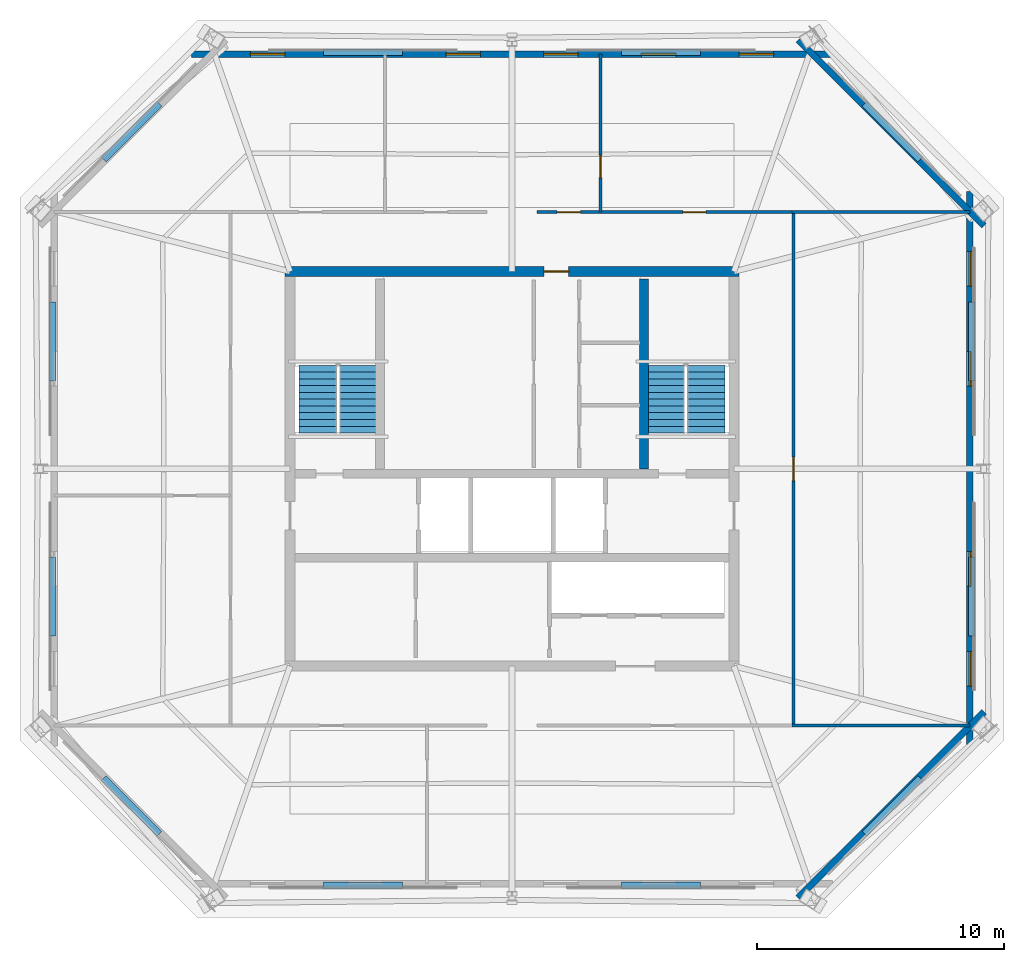
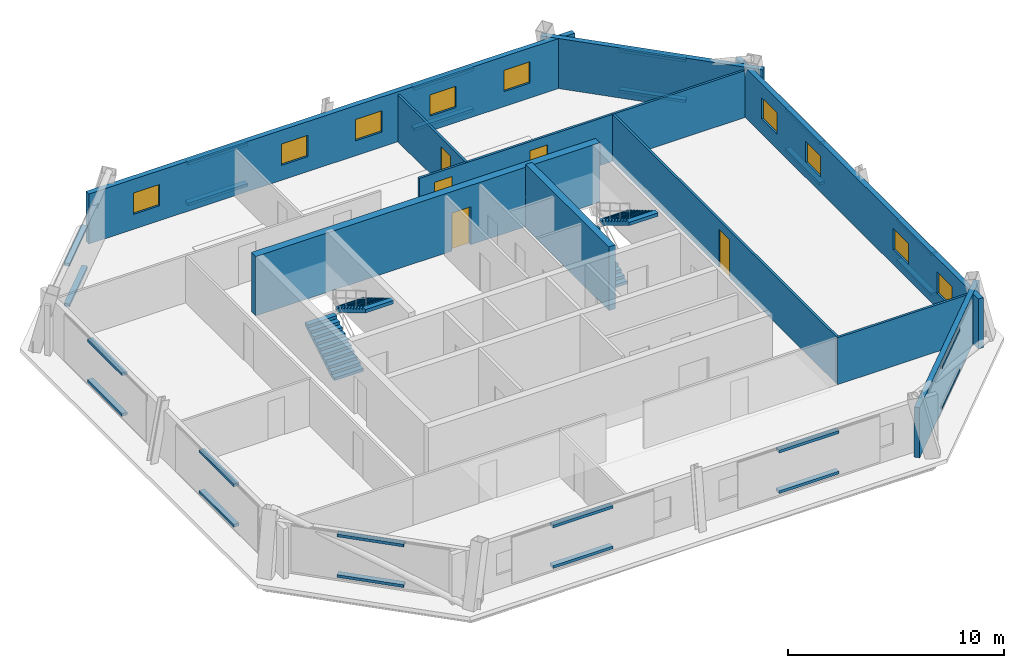
# One storey, part 4 of 6: 24 discrete accessories, 11 walls, 9 windows, 5 doors, 4 stair flights, 14 openings, 2 elements without a shape of their own.
"""IFC4 building model written with IfcOpenShell, lengths in metres."""

from ifc_helpers import new_model, si_unit, direction, frame, frame_2d, origin, origin_2d, place, context, subcontext, project, spatial, polyline, rectangle, outline, extrude, material, layer, layer_set, type_object, element, fill, aggregate, save


model = new_model("IFC4")

# Units and contexts
model_context = context("Model", 3, precision=1e-05, world=origin(), true_north=direction((0.0, 1.0)))
body_context = subcontext(model_context, "Body", "Model", "MODEL_VIEW")
ifc_project = project(units=[si_unit("LENGTHUNIT", "METRE"), si_unit("AREAUNIT", "SQUARE_METRE"), si_unit("VOLUMEUNIT", "CUBIC_METRE"), si_unit("PLANEANGLEUNIT", "RADIAN"), si_unit("MASSUNIT", "GRAM", prefix="KILO")], contexts=[model_context])

# Site, building, storey
site_placement = place(None, origin())
site = spatial("IfcSite", under=ifc_project, at=site_placement, CompositionType="ELEMENT")
building_placement = place(site_placement, origin())
building = spatial("IfcBuilding", under=site, at=building_placement, Name="Caelvoria Tower", CompositionType="ELEMENT")
storey_placement = place(building_placement, frame((0.0, 0.0, 246.60009765625)))
storey = spatial("IfcBuildingStorey", under=building, at=storey_placement, Name="L65", CompositionType="ELEMENT", Elevation=246.60009765625)

# Wall
ifc_material_1 = material(Name="Concrete C50/60", Category="concrete")
ifc_layer_1 = layer(ifc_material_1, 0.35009765625, Name="Concrete C50/60")
ifc_layer_set_1 = layer_set([ifc_layer_1], Name="Core Internal Shear Wall 350 - Concrete C50/60")
wall_type_1 = type_object("IfcWallType", Name="Core Internal Shear Wall 350", PredefinedType="SHEAR", material=ifc_layer_set_1)
wall_1_placement = place(storey_placement, frame((51.35009765625, 32.0, 0.0), z_axis=(0.0, 0.0, 1.0), x_axis=(0.0, 1.0, 0.0)))
element("IfcWall", 1, at=wall_1_placement, inside=storey, type_object=wall_type_1, Name="Interior Partition IW-L65-ST2W", PredefinedType="SHEAR", context=body_context, shape_type="SweptSolid", body=[
    extrude(rectangle(XDim=7.699951171875, YDim=0.35009765625, at=frame_2d((3.85009765625, 0.0))), origin(), (0.0, 0.0, 1.0), 3.599853515625),
])

# Wall, opening, door
ifc_layer_2 = layer(ifc_material_1, 0.39990234375, Name="Concrete C50/60")
ifc_layer_set_2 = layer_set([ifc_layer_2], Name="Summit Core Shear Wall 400 - Concrete C50/60")
wall_type_2 = type_object("IfcWallType", Name="Summit Core Shear Wall 400", PredefinedType="SHEAR", material=ifc_layer_set_2)
wall_2_placement = place(storey_placement, frame((36.800048828125, 40.0, 0.0), z_axis=(0.0, 0.0, 1.0), x_axis=(1.0, 0.0, 0.0)))
wall_2 = element("IfcWall", 2, at=wall_2_placement, inside=storey, type_object=wall_type_2, Name="Core Shear Wall L65 N", PredefinedType="SHEAR", context=body_context, shape_type="SweptSolid", body=[
    extrude(rectangle(XDim=18.39990234375, YDim=0.39990234375, at=frame_2d((9.199951171875, 0.0))), origin(), (0.0, 0.0, 1.0), 3.35986328125),
])
opening_1_placement = place(wall_2_placement, frame((10.5, 0.0, 0.0)))
opening_1 = element("IfcOpeningElement", 3, at=opening_1_placement, cuts=wall_2, Name="Opening ID-03", PredefinedType="OPENING", context=body_context, shape_type="SweptSolid", body=[
    extrude(rectangle(XDim=1.0, YDim=2.14990234375, at=frame_2d((0.5, 1.074951171875))), frame((0.0, 0.2099609375, 0.0), z_axis=(0.0, -1.0, 0.0), x_axis=(1.0, 0.0, 0.0)), (0.0, 0.0, 1.0), 0.419921875),
])
ifc_material_2 = material(Name="Painted Hollow Steel Fire Door", Category="steel")
door_type_1 = type_object("IfcDoorType", Name="Fire Door FD60S 1000x2150", OperationType="NOTDEFINED", PredefinedType="DOOR", material=ifc_material_2)
door_1_placement = place(opening_1_placement, origin())
door_1 = element("IfcDoor", 4, at=door_1_placement, inside=storey, type_object=door_type_1, Name="Core Door DR-L65-WC-MAIN", OperationType="SINGLE_SWING_RIGHT", OverallHeight=2.14990234375, OverallWidth=1.0, PredefinedType="DOOR", context=body_context, shape_type="SweptSolid", body=[
    extrude(rectangle(XDim=1.0, YDim=2.14990234375, at=frame_2d((0.5, 1.074951171875))), frame((0.0, 0.02490234375, 0.0), z_axis=(0.0, -1.0, 0.0), x_axis=(1.0, 0.0, 0.0)), (0.0, 0.0, 1.0), 0.050048828125),
])
fill(opening_1, door_1)

ifc_material_3 = material(Name="Acoustic Gypsum Board on Light-Gauge Stud", Category="gypsum")
ifc_layer_3 = layer(ifc_material_3, 0.1201171875, Name="Acoustic Gypsum Board on Light-Gauge Stud")
ifc_layer_set_3 = layer_set([ifc_layer_3], Name="Tenant Suite Acoustic Partition Wall 120 - Acoustic Gypsum Board on Light-Gauge Stud")
wall_type_3 = type_object("IfcWallType", Name="Tenant Suite Acoustic Partition Wall 120", PredefinedType="PARTITIONING", material=ifc_layer_set_3)
wall_3_placement = place(storey_placement, frame((49.589599609375, 42.409912109375, 0.0), z_axis=(0.0, 0.0, 1.0), x_axis=(0.0, 1.0, 0.0)))
wall_3 = element("IfcWall", 5, at=wall_3_placement, inside=storey, type_object=wall_type_3, Name="Interior Partition IW-L65-ND-01-0", PredefinedType="PARTITIONING", context=body_context, shape_type="SweptSolid", body=[
    extrude(rectangle(XDim=6.41015625, YDim=0.1201171875, at=frame_2d((3.205078125, 0.0))), origin(), (0.0, 0.0, 1.0), 2.65478515625),
])
opening_2_placement = place(wall_3_placement, frame((1.39990234375, 0.0, 0.0)))
opening_2 = element("IfcOpeningElement", 6, at=opening_2_placement, cuts=wall_3, Name="Opening ID-06", PredefinedType="OPENING", context=body_context, shape_type="SweptSolid", body=[
    extrude(rectangle(XDim=0.89990234375, YDim=2.14990234375, at=frame_2d((0.449951171875, 1.074951171875))), frame((0.0, 0.070068359375, 0.0), z_axis=(0.0, -1.0, 0.0), x_axis=(1.0, 0.0, 0.0)), (0.0, 0.0, 1.0), 0.14013671875),
])
ifc_material_4 = material(Name="Engineered Andean Oak Veneer Door", Category="wood")
door_type_2 = type_object("IfcDoorType", Name="Interior Timber Door 900x2150", OperationType="NOTDEFINED", PredefinedType="DOOR", material=ifc_material_4)
door_2_placement = place(opening_2_placement, origin())
door_2 = element("IfcDoor", 7, at=door_2_placement, inside=storey, type_object=door_type_2, Name="Interior Door DR-L65-NM-01-0", OperationType="SINGLE_SWING_LEFT", OverallHeight=2.14990234375, OverallWidth=0.89990234375, PredefinedType="DOOR", context=body_context, shape_type="SweptSolid", body=[
    extrude(rectangle(XDim=0.89990234375, YDim=2.14990234375, at=frame_2d((0.449951171875, 1.074951171875))), frame((0.0, 0.02490234375, 0.0), z_axis=(0.0, -1.0, 0.0), x_axis=(1.0, 0.0, 0.0)), (0.0, 0.0, 1.0), 0.050048828125),
])
fill(opening_2, door_2)

# Wall, openings, doors
wall_4_placement = place(storey_placement, frame((47.02001953125, 42.409912109375, 0.0), z_axis=(0.0, 0.0, 1.0), x_axis=(1.0, 0.0, 0.0)))
wall_4 = element("IfcWall", 8, at=wall_4_placement, inside=storey, type_object=wall_type_3, Name="Interior Partition IW-L65-NCW-1", PredefinedType="PARTITIONING", context=body_context, shape_type="SweptSolid", body=[
    extrude(rectangle(XDim=10.330078125, YDim=0.1201171875, at=frame_2d((5.1650390625, 0.0))), origin(), (0.0, 0.0, 1.0), 2.65478515625),
])
opening_3_placement = place(wall_4_placement, frame((0.809814453125, 0.0, 0.0)))
opening_3 = element("IfcOpeningElement", 9, at=opening_3_placement, cuts=wall_4, Name="Opening ID-05", PredefinedType="OPENING", context=body_context, shape_type="SweptSolid", body=[
    extrude(rectangle(XDim=0.949951171875, YDim=2.14990234375, at=frame_2d((0.47509765625, 1.074951171875))), frame((0.0, 0.070068359375, 0.0), z_axis=(0.0, -1.0, 0.0), x_axis=(1.0, 0.0, 0.0)), (0.0, 0.0, 1.0), 0.14013671875),
])
opening_4_placement = place(wall_4_placement, frame((5.90478515625, 0.0, 0.0)))
opening_4 = element("IfcOpeningElement", 10, at=opening_4_placement, cuts=wall_4, Name="Opening ID-05", PredefinedType="OPENING", context=body_context, shape_type="SweptSolid", body=[
    extrude(rectangle(XDim=0.949951171875, YDim=2.14990234375, at=frame_2d((0.47509765625, 1.074951171875))), frame((0.0, 0.070068359375, 0.0), z_axis=(0.0, -1.0, 0.0), x_axis=(1.0, 0.0, 0.0)), (0.0, 0.0, 1.0), 0.14013671875),
])
door_type_3 = type_object("IfcDoorType", Name="Interior Timber Door 950x2150", OperationType="NOTDEFINED", PredefinedType="DOOR", material=ifc_material_4)
door_3_placement = place(opening_3_placement, origin())
door_3 = element("IfcDoor", 11, at=door_3_placement, inside=storey, type_object=door_type_3, Name="Interior Door DR-L65-NC-01-1", OperationType="SINGLE_SWING_RIGHT", OverallHeight=2.14990234375, OverallWidth=0.949951171875, PredefinedType="DOOR", context=body_context, shape_type="SweptSolid", body=[
    extrude(rectangle(XDim=0.949951171875, YDim=2.14990234375, at=frame_2d((0.47509765625, 1.074951171875))), frame((0.0, 0.02490234375, 0.0), z_axis=(0.0, -1.0, 0.0), x_axis=(1.0, 0.0, 0.0)), (0.0, 0.0, 1.0), 0.050048828125),
])
fill(opening_3, door_3)
door_4_placement = place(opening_4_placement, origin())
door_4 = element("IfcDoor", 12, at=door_4_placement, inside=storey, type_object=door_type_3, Name="Interior Door DR-L65-NC-02-0", OperationType="SINGLE_SWING_RIGHT", OverallHeight=2.14990234375, OverallWidth=0.949951171875, PredefinedType="DOOR", context=body_context, shape_type="SweptSolid", body=[
    extrude(rectangle(XDim=0.949951171875, YDim=2.14990234375, at=frame_2d((0.47509765625, 1.074951171875))), frame((0.0, 0.02490234375, 0.0), z_axis=(0.0, -1.0, 0.0), x_axis=(1.0, 0.0, 0.0)), (0.0, 0.0, 1.0), 0.050048828125),
])
fill(opening_4, door_4)

# Wall, opening, door
wall_5_placement = place(storey_placement, frame((57.409912109375, 21.64990234375, 0.0), z_axis=(0.0, 0.0, 1.0), x_axis=(0.0, 1.0, 0.0)))
wall_5 = element("IfcWall", 13, at=wall_5_placement, inside=storey, type_object=wall_type_3, Name="Interior Partition IW-L65-ECW-0", PredefinedType="PARTITIONING", context=body_context, shape_type="SweptSolid", body=[
    extrude(rectangle(XDim=20.7001953125, YDim=0.1201171875, at=frame_2d((10.35009765625, 0.0))), origin(), (0.0, 0.0, 1.0), 2.65478515625),
])
opening_5_placement = place(wall_5_placement, frame((9.875, 0.0, 0.0)))
opening_5 = element("IfcOpeningElement", 14, at=opening_5_placement, cuts=wall_5, Name="Opening ID-05", PredefinedType="OPENING", context=body_context, shape_type="SweptSolid", body=[
    extrude(rectangle(XDim=0.949951171875, YDim=2.14990234375, at=frame_2d((0.47509765625, 1.074951171875))), frame((0.0, 0.070068359375, 0.0), z_axis=(0.0, -1.0, 0.0), x_axis=(1.0, 0.0, 0.0)), (0.0, 0.0, 1.0), 0.14013671875),
])
door_5_placement = place(opening_5_placement, origin())
door_5 = element("IfcDoor", 15, at=door_5_placement, inside=storey, type_object=door_type_3, Name="Interior Door DR-L65-EC-00-0", OperationType="SINGLE_SWING_RIGHT", OverallHeight=2.14990234375, OverallWidth=0.949951171875, PredefinedType="DOOR", context=body_context, shape_type="SweptSolid", body=[
    extrude(rectangle(XDim=0.949951171875, YDim=2.14990234375, at=frame_2d((0.47509765625, 1.074951171875))), frame((0.0, 0.02490234375, 0.0), z_axis=(0.0, -1.0, 0.0), x_axis=(1.0, 0.0, 0.0)), (0.0, 0.0, 1.0), 0.050048828125),
])
fill(opening_5, door_5)

# Walls
for number, where, z_axis, x_axis, name in (
    (16, (57.35009765625, 21.590087890625, 0.0), (0.0, 0.0, 1.0), (1.0, 0.0, 0.0), "Interior Partition IW-L65-BSE-0"),
    (17, (57.35009765625, 42.409912109375, 0.0), (0.0, 0.0, 1.0), (1.0, 0.0, 0.0), "Interior Partition IW-L65-BNE-0"),
):
    element("IfcWall", number, at=place(storey_placement, frame(where, z_axis=z_axis, x_axis=x_axis)), inside=storey, type_object=wall_type_3, Name=name, PredefinedType="PARTITIONING", context=body_context, shape_type="SweptSolid", body=[
        extrude(rectangle(XDim=7.219970703125, YDim=0.1201171875, at=frame_2d((3.60986328125, 0.0))), origin(), (0.0, 0.0, 1.0), 2.65478515625),
    ])
ifc_material_5 = material(Name="Precast Concrete C40/50 with Bronze Cladding", Category="concrete")
ifc_layer_4 = layer(ifc_material_5, 0.264892578125, Name="Precast Concrete C40/50 with Bronze Cladding")
ifc_layer_set_4 = layer_set([ifc_layer_4], Name="Upper Taper Precast Concrete C40/50 Bronze Facade Wall 265 - Precast Concrete C40/50 with Bronze Cladding")
wall_type_4 = type_object("IfcWallType", Name="Upper Taper Precast Concrete C40/50 Bronze Facade Wall 265", PredefinedType="STANDARD", material=ifc_layer_set_4)
wall_6_placement = place(storey_placement, frame((57.6044921875, 14.606201171875, 0.0), z_axis=(0.0, 0.0, 1.0), x_axis=(0.707106781187, 0.707106781187, 0.0)))
element("IfcWall", 18, at=wall_6_placement, inside=storey, type_object=wall_type_4, Name="Exterior Facade Wall L65-E1", PredefinedType="STANDARD", context=body_context, shape_type="SweptSolid", body=[
    extrude(rectangle(XDim=10.662109375, YDim=0.264892578125, at=frame_2d((5.3310546875, 0.0))), origin(), (0.0, 0.0, 1.0), 2.831787109375),
])

# Wall, openings, windows
wall_7_placement = place(storey_placement, frame((64.570068359375, 20.760009765625, 0.0), z_axis=(0.0, 0.0, 1.0), x_axis=(0.0, 1.0, 0.0)))
wall_7 = element("IfcWall", 19, at=wall_7_placement, inside=storey, type_object=wall_type_4, Name="Exterior Facade Wall L65-E2", PredefinedType="STANDARD", context=body_context, shape_type="SweptSolid", body=[
    extrude(rectangle(XDim=22.47998046875, YDim=0.264892578125, at=frame_2d((11.239990234375, 0.0))), origin(), (0.0, 0.0, 1.0), 2.831787109375),
])
opening_6_placement = place(wall_7_placement, frame((2.427978515625, 0.0, 0.85009765625)))
opening_6 = element("IfcOpeningElement", 20, at=opening_6_placement, cuts=wall_7, Name="Opening WN-06", PredefinedType="OPENING", context=body_context, shape_type="SweptSolid", body=[
    extrude(rectangle(XDim=1.39990234375, YDim=1.199951171875, at=frame_2d((0.699951171875, 0.60009765625))), frame((0.0, 0.142333984375, 0.0), z_axis=(0.0, -1.0, 0.0), x_axis=(1.0, 0.0, 0.0)), (0.0, 0.0, 1.0), 0.284912109375),
])
opening_7_placement = place(wall_7_placement, frame((6.48388671875, 0.0, 0.85009765625)))
opening_7 = element("IfcOpeningElement", 21, at=opening_7_placement, cuts=wall_7, Name="Opening WN-06", PredefinedType="OPENING", context=body_context, shape_type="SweptSolid", body=[
    extrude(rectangle(XDim=1.39990234375, YDim=1.199951171875, at=frame_2d((0.699951171875, 0.60009765625))), frame((0.0, 0.142333984375, 0.0), z_axis=(0.0, -1.0, 0.0), x_axis=(1.0, 0.0, 0.0)), (0.0, 0.0, 1.0), 0.284912109375),
])
opening_8_placement = place(wall_7_placement, frame((14.595947265625, 0.0, 0.85009765625)))
opening_8 = element("IfcOpeningElement", 22, at=opening_8_placement, cuts=wall_7, Name="Opening WN-06", PredefinedType="OPENING", context=body_context, shape_type="SweptSolid", body=[
    extrude(rectangle(XDim=1.39990234375, YDim=1.199951171875, at=frame_2d((0.699951171875, 0.60009765625))), frame((0.0, 0.142333984375, 0.0), z_axis=(0.0, -1.0, 0.0), x_axis=(1.0, 0.0, 0.0)), (0.0, 0.0, 1.0), 0.284912109375),
])
opening_9_placement = place(wall_7_placement, frame((18.652099609375, 0.0, 0.85009765625)))
opening_9 = element("IfcOpeningElement", 23, at=opening_9_placement, cuts=wall_7, Name="Opening WN-06", PredefinedType="OPENING", context=body_context, shape_type="SweptSolid", body=[
    extrude(rectangle(XDim=1.39990234375, YDim=1.199951171875, at=frame_2d((0.699951171875, 0.60009765625))), frame((0.0, 0.142333984375, 0.0), z_axis=(0.0, -1.0, 0.0), x_axis=(1.0, 0.0, 0.0)), (0.0, 0.0, 1.0), 0.284912109375),
])
ifc_material_6 = material(Name="Low-E Tinted Glass in Bronze Aluminium Frame", Category="aluminium")
window_type = type_object("IfcWindowType", Name="Podium Clerestory Window 1400x1200", PartitioningType="SINGLE_PANEL", PredefinedType="WINDOW", material=ifc_material_6)
window_1_placement = place(opening_6_placement, origin())
window_1 = element("IfcWindow", 24, at=window_1_placement, inside=storey, type_object=window_type, Name="Facade Window L65-E2-00", OverallHeight=1.199951171875, OverallWidth=1.39990234375, PartitioningType="SINGLE_PANEL", PredefinedType="WINDOW", context=body_context, shape_type="SweptSolid", body=[
    extrude(rectangle(XDim=1.39990234375, YDim=1.199951171875, at=frame_2d((0.699951171875, 0.60009765625))), frame((0.0, 0.030029296875, 0.0), z_axis=(0.0, -1.0, 0.0), x_axis=(1.0, 0.0, 0.0)), (0.0, 0.0, 1.0), 0.06005859375),
])
fill(opening_6, window_1)
window_2_placement = place(opening_7_placement, origin())
window_2 = element("IfcWindow", 25, at=window_2_placement, inside=storey, type_object=window_type, Name="Facade Window L65-E2-01", OverallHeight=1.199951171875, OverallWidth=1.39990234375, PartitioningType="SINGLE_PANEL", PredefinedType="WINDOW", context=body_context, shape_type="SweptSolid", body=[
    extrude(rectangle(XDim=1.39990234375, YDim=1.199951171875, at=frame_2d((0.699951171875, 0.60009765625))), frame((0.0, 0.030029296875, 0.0), z_axis=(0.0, -1.0, 0.0), x_axis=(1.0, 0.0, 0.0)), (0.0, 0.0, 1.0), 0.06005859375),
])
fill(opening_7, window_2)
window_3_placement = place(opening_8_placement, origin())
window_3 = element("IfcWindow", 26, at=window_3_placement, inside=storey, type_object=window_type, Name="Facade Window L65-E2-03", OverallHeight=1.199951171875, OverallWidth=1.39990234375, PartitioningType="SINGLE_PANEL", PredefinedType="WINDOW", context=body_context, shape_type="SweptSolid", body=[
    extrude(rectangle(XDim=1.39990234375, YDim=1.199951171875, at=frame_2d((0.699951171875, 0.60009765625))), frame((0.0, 0.030029296875, 0.0), z_axis=(0.0, -1.0, 0.0), x_axis=(1.0, 0.0, 0.0)), (0.0, 0.0, 1.0), 0.06005859375),
])
fill(opening_8, window_3)
window_4_placement = place(opening_9_placement, origin())
window_4 = element("IfcWindow", 27, at=window_4_placement, inside=storey, type_object=window_type, Name="Facade Window L65-E2-04", OverallHeight=1.199951171875, OverallWidth=1.39990234375, PartitioningType="SINGLE_PANEL", PredefinedType="WINDOW", context=body_context, shape_type="SweptSolid", body=[
    extrude(rectangle(XDim=1.39990234375, YDim=1.199951171875, at=frame_2d((0.699951171875, 0.60009765625))), frame((0.0, 0.030029296875, 0.0), z_axis=(0.0, -1.0, 0.0), x_axis=(1.0, 0.0, 0.0)), (0.0, 0.0, 1.0), 0.06005859375),
])
fill(opening_9, window_4)

# Wall
wall_8_placement = place(storey_placement, frame((65.143798828125, 41.8544921875, 0.0), z_axis=(0.0, 0.0, 1.0), x_axis=(-0.707106781187, 0.707106781187, 0.0)))
element("IfcWall", 28, at=wall_8_placement, inside=storey, type_object=wall_type_4, Name="Exterior Facade Wall L65-E3", PredefinedType="STANDARD", context=body_context, shape_type="SweptSolid", body=[
    extrude(rectangle(XDim=10.662109375, YDim=0.264892578125, at=frame_2d((5.3310546875, 0.0))), origin(), (0.0, 0.0, 1.0), 2.831787109375),
])

# Wall, openings, windows
wall_9_placement = place(storey_placement, frame((58.989990234375, 48.820068359375, 0.0), z_axis=(0.0, 0.0, 1.0), x_axis=(-1.0, 0.0, 0.0)))
wall_9 = element("IfcWall", 29, at=wall_9_placement, inside=storey, type_object=wall_type_4, Name="Exterior Facade Wall L65-E4", PredefinedType="STANDARD", context=body_context, shape_type="SweptSolid", body=[
    extrude(rectangle(XDim=25.97998046875, YDim=0.264892578125, at=frame_2d((12.989990234375, 0.0))), origin(), (0.0, 0.0, 1.0), 2.831787109375),
])
opening_10_placement = place(wall_9_placement, frame((2.381591796875, 0.0, 0.85009765625)))
opening_10 = element("IfcOpeningElement", 30, at=opening_10_placement, cuts=wall_9, Name="Opening WN-06", PredefinedType="OPENING", context=body_context, shape_type="SweptSolid", body=[
    extrude(rectangle(XDim=1.39990234375, YDim=1.199951171875, at=frame_2d((0.699951171875, 0.60009765625))), frame((0.0, 0.142333984375, 0.0), z_axis=(0.0, -1.0, 0.0), x_axis=(1.0, 0.0, 0.0)), (0.0, 0.0, 1.0), 0.284912109375),
])
opening_11_placement = place(wall_9_placement, frame((6.344970703125, 0.0, 0.85009765625)))
opening_11 = element("IfcOpeningElement", 31, at=opening_11_placement, cuts=wall_9, Name="Opening WN-06", PredefinedType="OPENING", context=body_context, shape_type="SweptSolid", body=[
    extrude(rectangle(XDim=1.39990234375, YDim=1.199951171875, at=frame_2d((0.699951171875, 0.60009765625))), frame((0.0, 0.142333984375, 0.0), z_axis=(0.0, -1.0, 0.0), x_axis=(1.0, 0.0, 0.0)), (0.0, 0.0, 1.0), 0.284912109375),
])
opening_12_placement = place(wall_9_placement, frame((10.308349609375, 0.0, 0.85009765625)))
opening_12 = element("IfcOpeningElement", 32, at=opening_12_placement, cuts=wall_9, Name="Opening WN-06", PredefinedType="OPENING", context=body_context, shape_type="SweptSolid", body=[
    extrude(rectangle(XDim=1.39990234375, YDim=1.199951171875, at=frame_2d((0.699951171875, 0.60009765625))), frame((0.0, 0.142333984375, 0.0), z_axis=(0.0, -1.0, 0.0), x_axis=(1.0, 0.0, 0.0)), (0.0, 0.0, 1.0), 0.284912109375),
])
opening_13_placement = place(wall_9_placement, frame((14.271728515625, 0.0, 0.85009765625)))
opening_13 = element("IfcOpeningElement", 33, at=opening_13_placement, cuts=wall_9, Name="Opening WN-06", PredefinedType="OPENING", context=body_context, shape_type="SweptSolid", body=[
    extrude(rectangle(XDim=1.39990234375, YDim=1.199951171875, at=frame_2d((0.699951171875, 0.60009765625))), frame((0.0, 0.142333984375, 0.0), z_axis=(0.0, -1.0, 0.0), x_axis=(1.0, 0.0, 0.0)), (0.0, 0.0, 1.0), 0.284912109375),
])
opening_14_placement = place(wall_9_placement, frame((22.1982421875, 0.0, 0.85009765625)))
opening_14 = element("IfcOpeningElement", 34, at=opening_14_placement, cuts=wall_9, Name="Opening WN-06", PredefinedType="OPENING", context=body_context, shape_type="SweptSolid", body=[
    extrude(rectangle(XDim=1.39990234375, YDim=1.199951171875, at=frame_2d((0.699951171875, 0.60009765625))), frame((0.0, 0.142333984375, 0.0), z_axis=(0.0, -1.0, 0.0), x_axis=(1.0, 0.0, 0.0)), (0.0, 0.0, 1.0), 0.284912109375),
])
window_5_placement = place(opening_10_placement, origin())
window_5 = element("IfcWindow", 35, at=window_5_placement, inside=storey, type_object=window_type, Name="Facade Window L65-E4-00", OverallHeight=1.199951171875, OverallWidth=1.39990234375, PartitioningType="SINGLE_PANEL", PredefinedType="WINDOW", context=body_context, shape_type="SweptSolid", body=[
    extrude(rectangle(XDim=1.39990234375, YDim=1.199951171875, at=frame_2d((0.699951171875, 0.60009765625))), frame((0.0, 0.030029296875, 0.0), z_axis=(0.0, -1.0, 0.0), x_axis=(1.0, 0.0, 0.0)), (0.0, 0.0, 1.0), 0.06005859375),
])
fill(opening_10, window_5)
window_6_placement = place(opening_11_placement, origin())
window_6 = element("IfcWindow", 36, at=window_6_placement, inside=storey, type_object=window_type, Name="Facade Window L65-E4-01", OverallHeight=1.199951171875, OverallWidth=1.39990234375, PartitioningType="SINGLE_PANEL", PredefinedType="WINDOW", context=body_context, shape_type="SweptSolid", body=[
    extrude(rectangle(XDim=1.39990234375, YDim=1.199951171875, at=frame_2d((0.699951171875, 0.60009765625))), frame((0.0, 0.030029296875, 0.0), z_axis=(0.0, -1.0, 0.0), x_axis=(1.0, 0.0, 0.0)), (0.0, 0.0, 1.0), 0.06005859375),
])
fill(opening_11, window_6)
window_7_placement = place(opening_12_placement, origin())
window_7 = element("IfcWindow", 37, at=window_7_placement, inside=storey, type_object=window_type, Name="Facade Window L65-E4-02", OverallHeight=1.199951171875, OverallWidth=1.39990234375, PartitioningType="SINGLE_PANEL", PredefinedType="WINDOW", context=body_context, shape_type="SweptSolid", body=[
    extrude(rectangle(XDim=1.39990234375, YDim=1.199951171875, at=frame_2d((0.699951171875, 0.60009765625))), frame((0.0, 0.030029296875, 0.0), z_axis=(0.0, -1.0, 0.0), x_axis=(1.0, 0.0, 0.0)), (0.0, 0.0, 1.0), 0.06005859375),
])
fill(opening_12, window_7)
window_8_placement = place(opening_13_placement, origin())
window_8 = element("IfcWindow", 38, at=window_8_placement, inside=storey, type_object=window_type, Name="Facade Window L65-E4-03", OverallHeight=1.199951171875, OverallWidth=1.39990234375, PartitioningType="SINGLE_PANEL", PredefinedType="WINDOW", context=body_context, shape_type="SweptSolid", body=[
    extrude(rectangle(XDim=1.39990234375, YDim=1.199951171875, at=frame_2d((0.699951171875, 0.60009765625))), frame((0.0, 0.030029296875, 0.0), z_axis=(0.0, -1.0, 0.0), x_axis=(1.0, 0.0, 0.0)), (0.0, 0.0, 1.0), 0.06005859375),
])
fill(opening_13, window_8)
window_9_placement = place(opening_14_placement, origin())
window_9 = element("IfcWindow", 39, at=window_9_placement, inside=storey, type_object=window_type, Name="Facade Window L65-E4-05", OverallHeight=1.199951171875, OverallWidth=1.39990234375, PartitioningType="SINGLE_PANEL", PredefinedType="WINDOW", context=body_context, shape_type="SweptSolid", body=[
    extrude(rectangle(XDim=1.39990234375, YDim=1.199951171875, at=frame_2d((0.699951171875, 0.60009765625))), frame((0.0, 0.030029296875, 0.0), z_axis=(0.0, -1.0, 0.0), x_axis=(1.0, 0.0, 0.0)), (0.0, 0.0, 1.0), 0.06005859375),
])
fill(opening_14, window_9)

# Stair, stair flights
ifc_material_7 = material(Name="Concrete C40/50", Category="concrete")
stair_type = type_object("IfcStairType", Name="Core Smokeproof Dogleg Stair Concrete C40/50", PredefinedType="HALF_TURN_STAIR", material=ifc_material_7)
stair_1_placement = place(storey_placement, origin())
stair_1 = element("IfcStair", 40, at=stair_1_placement, inside=storey, type_object=stair_type, Name="ST-01 Smokeproof Exit Stair L65", PredefinedType="HALF_TURN_STAIR")
ifc_material_8 = material(Name="Precast Concrete C40/50", Category="concrete")
stair_flight_type = type_object("IfcStairFlightType", Name="Precast Concrete C40/50 Stair Flight 1480", PredefinedType="STRAIGHT", material=ifc_material_8)
stair_flight_1_placement = place(storey_placement, frame((38.1298828125, 33.449951171875, 0.0), z_axis=(0.0, 0.0, 1.0), x_axis=(0.0, 1.0, 0.0)))
stair_flight_1 = element("IfcStairFlight", 41, at=stair_flight_1_placement, type_object=stair_flight_type, Name="ST-01 flight 1", NumberOfRisers=11, NumberOfTreads=10, PredefinedType="STRAIGHT", RiserHeight=0.1636, TreadLength=0.275, context=body_context, shape_type="SweptSolid", body=[
    extrude(outline(polyline([(0.0, 0.0), (0.0, 0.16357421875), (0.27490234375, 0.16357421875), (0.27490234375, 0.3271484375), (0.550048828125, 0.3271484375), (0.550048828125, 0.49072265625), (0.824951171875, 0.49072265625), (0.824951171875, 0.654296875), (1.10009765625, 0.654296875), (1.10009765625, 0.818115234375), (1.375, 0.818115234375), (1.375, 0.981689453125), (1.64990234375, 0.981689453125), (1.64990234375, 1.145263671875), (1.925048828125, 1.145263671875), (1.925048828125, 1.308837890625), (2.199951171875, 1.308837890625), (2.199951171875, 1.472412109375), (2.47509765625, 1.472412109375), (2.47509765625, 1.635986328125), (2.75, 1.635986328125), (2.75, 1.799560546875), (2.75, 1.449951171875), (0.312744140625, 0.0), (0.0, 0.0)])), frame((0.0, 0.77001953125, 0.0), z_axis=(0.0, -1.0, 0.0), x_axis=(1.0, 0.0, 0.0)), (0.0, 0.0, 1.0), 1.5400390625),
])
stair_flight_2_placement = place(storey_placement, frame((39.77001953125, 36.199951171875, 1.7998046875), z_axis=(0.0, 0.0, 1.0), x_axis=(0.0, -1.0, 0.0)))
stair_flight_2 = element("IfcStairFlight", 42, at=stair_flight_2_placement, type_object=stair_flight_type, Name="ST-01 flight 2", NumberOfRisers=11, NumberOfTreads=10, PredefinedType="STRAIGHT", RiserHeight=0.1636, TreadLength=0.275, context=body_context, shape_type="SweptSolid", body=[
    extrude(outline(polyline([(0.0, 0.0), (0.0, 0.16357421875), (0.27490234375, 0.16357421875), (0.27490234375, 0.3271484375), (0.550048828125, 0.3271484375), (0.550048828125, 0.49072265625), (0.824951171875, 0.49072265625), (0.824951171875, 0.654296875), (1.10009765625, 0.654296875), (1.10009765625, 0.818115234375), (1.375, 0.818115234375), (1.375, 0.981689453125), (1.64990234375, 0.981689453125), (1.64990234375, 1.145263671875), (1.925048828125, 1.145263671875), (1.925048828125, 1.308837890625), (2.199951171875, 1.308837890625), (2.199951171875, 1.472412109375), (2.47509765625, 1.472412109375), (2.47509765625, 1.635986328125), (2.75, 1.635986328125), (2.75, 1.799560546875), (2.75, 1.449951171875), (0.312744140625, 0.0), (0.0, 0.0)])), frame((0.0, 0.77001953125, 0.0), z_axis=(0.0, -1.0, 0.0), x_axis=(1.0, 0.0, 0.0)), (0.0, 0.0, 1.0), 1.5400390625),
])
aggregate(stair_1, [stair_flight_1, stair_flight_2])

stair_2_placement = place(storey_placement, origin())
stair_2 = element("IfcStair", 43, at=stair_2_placement, inside=storey, type_object=stair_type, Name="ST-02 Smokeproof Exit Stair L65", PredefinedType="HALF_TURN_STAIR")
stair_flight_3_placement = place(storey_placement, frame((52.22998046875, 33.449951171875, 0.0), z_axis=(0.0, 0.0, 1.0), x_axis=(0.0, 1.0, 0.0)))
stair_flight_3 = element("IfcStairFlight", 44, at=stair_flight_3_placement, type_object=stair_flight_type, Name="ST-02 flight 1", NumberOfRisers=11, NumberOfTreads=10, PredefinedType="STRAIGHT", RiserHeight=0.1636, TreadLength=0.275, context=body_context, shape_type="SweptSolid", body=[
    extrude(outline(polyline([(0.0, 0.0), (0.0, 0.16357421875), (0.27490234375, 0.16357421875), (0.27490234375, 0.3271484375), (0.550048828125, 0.3271484375), (0.550048828125, 0.49072265625), (0.824951171875, 0.49072265625), (0.824951171875, 0.654296875), (1.10009765625, 0.654296875), (1.10009765625, 0.818115234375), (1.375, 0.818115234375), (1.375, 0.981689453125), (1.64990234375, 0.981689453125), (1.64990234375, 1.145263671875), (1.925048828125, 1.145263671875), (1.925048828125, 1.308837890625), (2.199951171875, 1.308837890625), (2.199951171875, 1.472412109375), (2.47509765625, 1.472412109375), (2.47509765625, 1.635986328125), (2.75, 1.635986328125), (2.75, 1.799560546875), (2.75, 1.449951171875), (0.312744140625, 0.0), (0.0, 0.0)])), frame((0.0, 0.77001953125, 0.0), z_axis=(0.0, -1.0, 0.0), x_axis=(1.0, 0.0, 0.0)), (0.0, 0.0, 1.0), 1.5400390625),
])
stair_flight_4_placement = place(storey_placement, frame((53.8701171875, 36.199951171875, 1.7998046875), z_axis=(0.0, 0.0, 1.0), x_axis=(0.0, -1.0, 0.0)))
stair_flight_4 = element("IfcStairFlight", 45, at=stair_flight_4_placement, type_object=stair_flight_type, Name="ST-02 flight 2", NumberOfRisers=11, NumberOfTreads=10, PredefinedType="STRAIGHT", RiserHeight=0.1636, TreadLength=0.275, context=body_context, shape_type="SweptSolid", body=[
    extrude(outline(polyline([(0.0, 0.0), (0.0, 0.16357421875), (0.27490234375, 0.16357421875), (0.27490234375, 0.3271484375), (0.550048828125, 0.3271484375), (0.550048828125, 0.49072265625), (0.824951171875, 0.49072265625), (0.824951171875, 0.654296875), (1.10009765625, 0.654296875), (1.10009765625, 0.818115234375), (1.375, 0.818115234375), (1.375, 0.981689453125), (1.64990234375, 0.981689453125), (1.64990234375, 1.145263671875), (1.925048828125, 1.145263671875), (1.925048828125, 1.308837890625), (2.199951171875, 1.308837890625), (2.199951171875, 1.472412109375), (2.47509765625, 1.472412109375), (2.47509765625, 1.635986328125), (2.75, 1.635986328125), (2.75, 1.799560546875), (2.75, 1.449951171875), (0.312744140625, 0.0), (0.0, 0.0)])), frame((0.0, 0.77001953125, 0.0), z_axis=(0.0, -1.0, 0.0), x_axis=(1.0, 0.0, 0.0)), (0.0, 0.0, 1.0), 1.5400390625),
])
aggregate(stair_2, [stair_flight_3, stair_flight_4])

# Discrete accessories
ifc_material_9 = material(Name="Anodised Bronze Stainless Bracket", Category="bronze")
discrete_accessory_type = type_object("IfcDiscreteAccessoryType", Name="Solar Screen Outrigger Support Bracket", PredefinedType="BRACKET", material=ifc_material_9)
for number, where, z_axis, x_axis, name in (
    (46, (39.955078125, 15.107177734375, 0.23974609375), (0.0, 0.0, 1.0), (1.0, 0.0, 0.0), "Solar Screen Bracket L65-E0-00"),
    (47, (39.955078125, 15.107177734375, 2.53173828125), (0.0, 0.0, 1.0), (1.0, 0.0, 0.0), "Upper Screen Band Bracket L65-E0-00"),
    (48, (52.044921875, 15.107177734375, 0.23974609375), (0.0, 0.0, 1.0), (1.0, 0.0, 0.0), "Solar Screen Bracket L65-E0-01"),
    (49, (52.044921875, 15.107177734375, 2.53173828125), (0.0, 0.0, 1.0), (1.0, 0.0, 0.0), "Upper Screen Band Bracket L65-E0-01"),
    (50, (61.42578125, 18.32421875, 0.23974609375), (0.0, 0.0, 1.0), (0.707106781187, 0.707106781187, 0.0), "Solar Screen Bracket L65-E1-00"),
    (51, (61.42578125, 18.32421875, 2.53173828125), (0.0, 0.0, 1.0), (0.707106781187, 0.707106781187, 0.0), "Upper Screen Band Bracket L65-E1-00"),
    (52, (64.642822265625, 26.830078125, 0.23974609375), (0.0, 0.0, 1.0), (0.0, 1.0, 0.0), "Solar Screen Bracket L65-E2-00"),
    (53, (64.642822265625, 26.830078125, 2.53173828125), (0.0, 0.0, 1.0), (0.0, 1.0, 0.0), "Upper Screen Band Bracket L65-E2-00"),
    (54, (64.642822265625, 37.169921875, 0.23974609375), (0.0, 0.0, 1.0), (0.0, 1.0, 0.0), "Solar Screen Bracket L65-E2-01"),
    (55, (64.642822265625, 37.169921875, 2.53173828125), (0.0, 0.0, 1.0), (0.0, 1.0, 0.0), "Upper Screen Band Bracket L65-E2-01"),
    (56, (61.42578125, 45.67578125, 0.23974609375), (0.0, 0.0, 1.0), (-0.707106781187, 0.707106781187, 0.0), "Solar Screen Bracket L65-E3-00"),
    (57, (61.42578125, 45.67578125, 2.53173828125), (0.0, 0.0, 1.0), (-0.707106781187, 0.707106781187, 0.0), "Upper Screen Band Bracket L65-E3-00"),
    (58, (52.044921875, 48.892822265625, 0.23974609375), (0.0, 0.0, 1.0), (-1.0, 0.0, 0.0), "Solar Screen Bracket L65-E4-00"),
    (59, (52.044921875, 48.892822265625, 2.53173828125), (0.0, 0.0, 1.0), (-1.0, 0.0, 0.0), "Upper Screen Band Bracket L65-E4-00"),
    (60, (39.955078125, 48.892822265625, 0.23974609375), (0.0, 0.0, 1.0), (-1.0, 0.0, 0.0), "Solar Screen Bracket L65-E4-01"),
    (61, (39.955078125, 48.892822265625, 2.53173828125), (0.0, 0.0, 1.0), (-1.0, 0.0, 0.0), "Upper Screen Band Bracket L65-E4-01"),
    (62, (30.57421875, 45.67578125, 0.23974609375), (0.0, 0.0, 1.0), (-0.707106781187, -0.707106781187, 0.0), "Solar Screen Bracket L65-E5-00"),
    (63, (30.57421875, 45.67578125, 2.53173828125), (0.0, 0.0, 1.0), (-0.707106781187, -0.707106781187, 0.0), "Upper Screen Band Bracket L65-E5-00"),
    (64, (27.357177734375, 37.169921875, 0.23974609375), (0.0, 0.0, 1.0), (0.0, -1.0, 0.0), "Solar Screen Bracket L65-E6-00"),
    (65, (27.357177734375, 37.169921875, 2.53173828125), (0.0, 0.0, 1.0), (0.0, -1.0, 0.0), "Upper Screen Band Bracket L65-E6-00"),
    (66, (27.357177734375, 26.830078125, 0.23974609375), (0.0, 0.0, 1.0), (0.0, -1.0, 0.0), "Solar Screen Bracket L65-E6-01"),
    (67, (27.357177734375, 26.830078125, 2.53173828125), (0.0, 0.0, 1.0), (0.0, -1.0, 0.0), "Upper Screen Band Bracket L65-E6-01"),
    (68, (30.57421875, 18.32421875, 0.23974609375), (0.0, 0.0, 1.0), (0.707106781187, -0.707106781187, 0.0), "Solar Screen Bracket L65-E7-00"),
    (69, (30.57421875, 18.32421875, 2.53173828125), (0.0, 0.0, 1.0), (0.707106781187, -0.707106781187, 0.0), "Upper Screen Band Bracket L65-E7-00"),
):
    element("IfcDiscreteAccessory", number, at=place(storey_placement, frame(where, z_axis=z_axis, x_axis=x_axis)), inside=storey, type_object=discrete_accessory_type, Name=name, PredefinedType="BRACKET", context=body_context, shape_type="SweptSolid", body=[
        extrude(rectangle(XDim=3.199951171875, YDim=0.280029296875, at=origin_2d()), origin(), (0.0, 0.0, 1.0), 0.159912109375),
    ])

save(model, "model.ifc")
